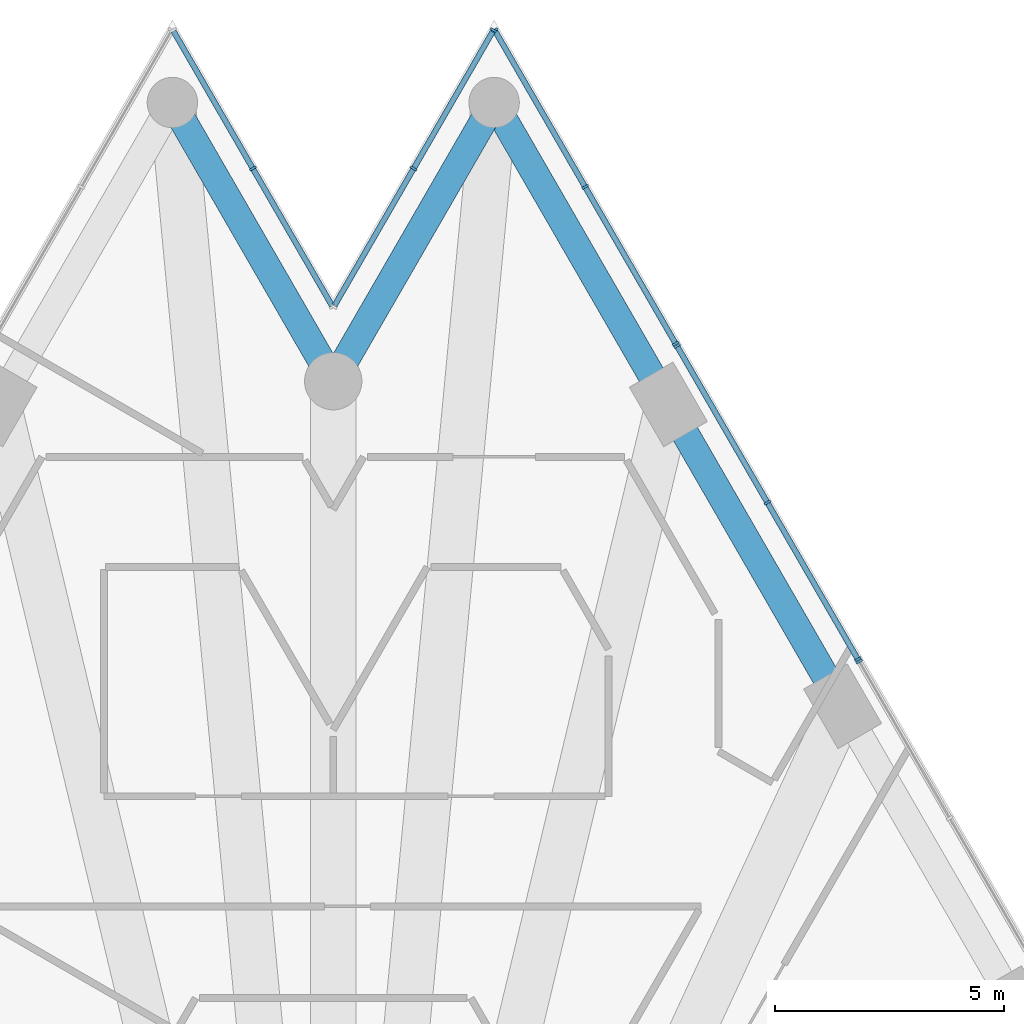
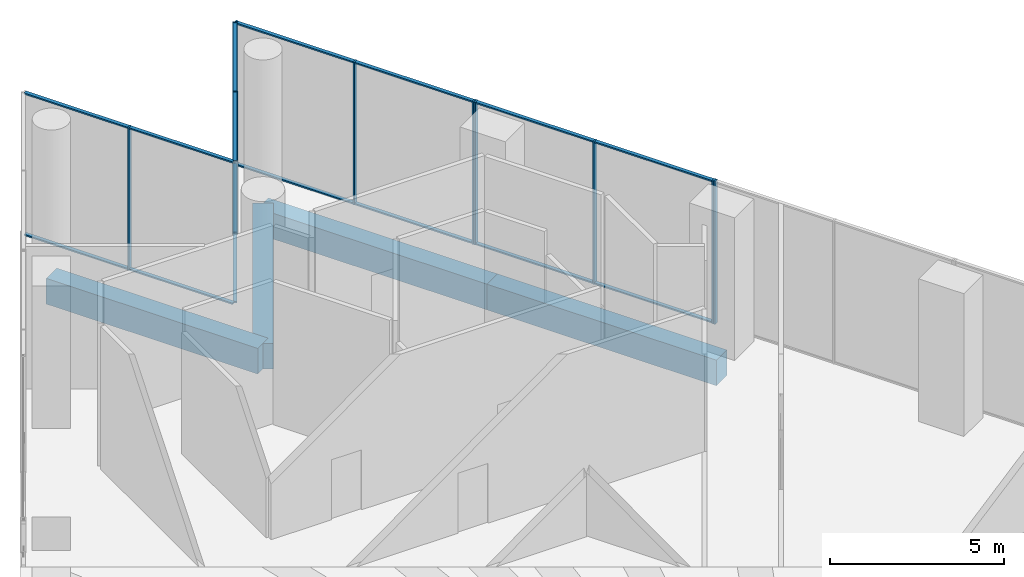
# One storey, part 18 of 29: 26 members, 4 beams, 5 elements without a shape of their own.
"""IFC4 building model written with IfcOpenShell, lengths in metres."""

from ifc_helpers import new_model, si_unit, direction, frame, origin, origin_2d, place, context, subcontext, project, spatial, rectangle, extrude, material, layer, layer_set, material_profile, profile_set, type_object, element, aggregate, save


model = new_model("IFC4")

# Units and contexts
model_context = context("Model", 3, precision=1e-05, world=origin(), true_north=direction((0.0, 1.0)))
body_context = subcontext(model_context, "Body", "Model", "MODEL_VIEW")
ifc_project = project(units=[si_unit("LENGTHUNIT", "METRE"), si_unit("AREAUNIT", "SQUARE_METRE"), si_unit("VOLUMEUNIT", "CUBIC_METRE"), si_unit("PLANEANGLEUNIT", "RADIAN"), si_unit("MASSUNIT", "GRAM", prefix="KILO")], contexts=[model_context])

# Site, building, storey
site_placement = place(None, origin())
site = spatial("IfcSite", under=ifc_project, at=site_placement, CompositionType="ELEMENT")
building_placement = place(site_placement, origin())
building = spatial("IfcBuilding", under=site, at=building_placement, Name="Triada Interchange Tower", CompositionType="ELEMENT")
storey_placement = place(building_placement, frame((0.0, 0.0, 19.89990234375)))
storey = spatial("IfcBuildingStorey", under=building, at=storey_placement, Name="L03", CompositionType="ELEMENT", Elevation=19.89990234375)

# Curtain wall, member
ifc_material_1 = material(Name="Aluminium framed glazing", Category="aluminium")
ifc_layer = layer(ifc_material_1, 0.199951171875)
ifc_layer_set = layer_set([ifc_layer], Name="Curtain wall Retail shopfront")
curtain_wall_type = type_object("IfcCurtainWallType", Name="Curtain wall Retail shopfront", PredefinedType="NOTDEFINED", material=ifc_layer_set)
curtain_wall_1_placement = place(storey_placement, origin())
curtain_wall_1 = element("IfcCurtainWall", 1, at=curtain_wall_1_placement, inside=storey, type_object=curtain_wall_type, Name="Retail shopfront CW018 L03", PredefinedType="NOTDEFINED")
ifc_material_2 = material(Name="Aluminium", Category="aluminium")
ifc_material_profile_1 = material_profile(ifc_material_2, rectangle(XDim=0.14990234375, YDim=0.050048828125, at=origin_2d()), Name="Aluminium mullion")
ifc_profile_set_1 = profile_set([ifc_material_profile_1], Name="Aluminium")
member_type_1 = type_object("IfcMemberType", Name="Mullion Retail shopfront 150x50", PredefinedType="MULLION", material=ifc_profile_set_1)
member_1_placement = place(storey_placement, frame((11.468505859375, 24.936279296875, 0.0), z_axis=(0.0, 0.0, 1.0), x_axis=(-0.866055473648, -0.499947913852, 0.0)))
member_1 = element("IfcMember", 2, at=member_1_placement, type_object=member_type_1, Name="CW018 mullion 3", PredefinedType="MULLION", context=body_context, shape_type="SweptSolid", body=[
    extrude(rectangle(XDim=0.14990234375, YDim=0.050048828125, at=origin_2d()), origin(), (0.0, 0.0, 1.0), 5.0),
])
aggregate(curtain_wall_1, [member_1])

# Curtain wall, members
curtain_wall_2_placement = place(storey_placement, origin())
curtain_wall_2 = element("IfcCurtainWall", 3, at=curtain_wall_2_placement, inside=storey, type_object=curtain_wall_type, Name="Retail shopfront CW019 L03", PredefinedType="NOTDEFINED")
member_2_placement = place(storey_placement, frame((11.4375, 24.98876953125, 0.0), z_axis=(0.0, 0.0, 1.0), x_axis=(-0.866055473648, -0.499947913852, 0.0)))
member_2 = element("IfcMember", 4, at=member_2_placement, type_object=member_type_1, Name="CW019 mullion 1", PredefinedType="MULLION", context=body_context, shape_type="SweptSolid", body=[
    extrude(rectangle(XDim=0.14990234375, YDim=0.050048828125, at=origin_2d()), origin(), (0.0, 0.0, 1.0), 5.0),
])
member_3_placement = place(storey_placement, frame((9.466552734375, 28.403076171875, 0.0), z_axis=(0.0, 0.0, 1.0), x_axis=(-0.866055473648, -0.499947913852, 0.0)))
member_3 = element("IfcMember", 5, at=member_3_placement, type_object=member_type_1, Name="CW019 mullion 2", PredefinedType="MULLION", context=body_context, shape_type="SweptSolid", body=[
    extrude(rectangle(XDim=0.14990234375, YDim=0.050048828125, at=origin_2d()), origin(), (0.0, 0.0, 1.0), 5.0),
])
member_4_placement = place(storey_placement, frame((7.49560546875, 31.8173828125, 0.0), z_axis=(0.0, 0.0, 1.0), x_axis=(-0.866055473648, -0.499947913852, 0.0)))
member_4 = element("IfcMember", 6, at=member_4_placement, type_object=member_type_1, Name="CW019 mullion 3", PredefinedType="MULLION", context=body_context, shape_type="SweptSolid", body=[
    extrude(rectangle(XDim=0.14990234375, YDim=0.050048828125, at=origin_2d()), origin(), (0.0, 0.0, 1.0), 5.0),
])

curtain_wall_3_placement = place(storey_placement, origin())
curtain_wall_3 = element("IfcCurtainWall", 7, at=curtain_wall_3_placement, inside=storey, type_object=curtain_wall_type, Name="Retail shopfront CW020 L03", PredefinedType="NOTDEFINED")
member_5_placement = place(storey_placement, frame((7.464599609375, 31.86962890625, 0.0), z_axis=(0.0, 0.0, 1.0), x_axis=(-0.86604927658, -0.499958648825, 0.0)))
member_5 = element("IfcMember", 8, at=member_5_placement, type_object=member_type_1, Name="CW020 mullion 1", PredefinedType="MULLION", context=body_context, shape_type="SweptSolid", body=[
    extrude(rectangle(XDim=0.14990234375, YDim=0.050048828125, at=origin_2d()), origin(), (0.0, 0.0, 1.0), 5.0),
])
member_6_placement = place(storey_placement, frame((5.491943359375, 35.28662109375, 0.0), z_axis=(0.0, 0.0, 1.0), x_axis=(-0.86604927658, -0.499958648825, 0.0)))
member_6 = element("IfcMember", 9, at=member_6_placement, type_object=member_type_1, Name="CW020 mullion 2", PredefinedType="MULLION", context=body_context, shape_type="SweptSolid", body=[
    extrude(rectangle(XDim=0.14990234375, YDim=0.050048828125, at=origin_2d()), origin(), (0.0, 0.0, 1.0), 5.0),
])
member_7_placement = place(storey_placement, frame((3.51953125, 38.703369140625, 0.0), z_axis=(0.0, 0.0, 1.0), x_axis=(-0.86604927658, -0.499958648825, 0.0)))
member_7 = element("IfcMember", 10, at=member_7_placement, type_object=member_type_1, Name="CW020 mullion 3", PredefinedType="MULLION", context=body_context, shape_type="SweptSolid", body=[
    extrude(rectangle(XDim=0.14990234375, YDim=0.050048828125, at=origin_2d()), origin(), (0.0, 0.0, 1.0), 5.0),
])

curtain_wall_4_placement = place(storey_placement, origin())
curtain_wall_4 = element("IfcCurtainWall", 11, at=curtain_wall_4_placement, inside=storey, type_object=curtain_wall_type, Name="Retail shopfront CW021 L03", PredefinedType="NOTDEFINED")
member_8_placement = place(storey_placement, frame((3.494384765625, 38.703369140625, 0.0), z_axis=(0.0, 0.0, 1.0), x_axis=(0.866050272896, -0.499956922962, 0.0)))
member_8 = element("IfcMember", 12, at=member_8_placement, type_object=member_type_1, Name="CW021 mullion 1", PredefinedType="MULLION", context=body_context, shape_type="SweptSolid", body=[
    extrude(rectangle(XDim=0.14990234375, YDim=0.050048828125, at=origin_2d()), origin(), (0.0, 0.0, 1.0), 5.0),
])
member_9_placement = place(storey_placement, frame((1.75341796875, 35.6875, 0.0), z_axis=(0.0, 0.0, 1.0), x_axis=(0.866050272896, -0.499956922962, 0.0)))
member_9 = element("IfcMember", 13, at=member_9_placement, type_object=member_type_1, Name="CW021 mullion 2", PredefinedType="MULLION", context=body_context, shape_type="SweptSolid", body=[
    extrude(rectangle(XDim=0.14990234375, YDim=0.050048828125, at=origin_2d()), origin(), (0.0, 0.0, 1.0), 5.0),
])

# Curtain wall, member
curtain_wall_5_placement = place(storey_placement, origin())
curtain_wall_5 = element("IfcCurtainWall", 14, at=curtain_wall_5_placement, inside=storey, type_object=curtain_wall_type, Name="Retail shopfront CW022 L03", PredefinedType="NOTDEFINED")
member_10_placement = place(storey_placement, frame((-1.75341796875, 35.6875, 0.0), z_axis=(0.0, 0.0, 1.0), x_axis=(-0.866050272896, -0.499956922962, 0.0)))
member_10 = element("IfcMember", 15, at=member_10_placement, type_object=member_type_1, Name="CW022 mullion 2", PredefinedType="MULLION", context=body_context, shape_type="SweptSolid", body=[
    extrude(rectangle(XDim=0.14990234375, YDim=0.050048828125, at=origin_2d()), origin(), (0.0, 0.0, 1.0), 5.0),
])

# Beams
ifc_material_3 = material(Name="Concrete C50/60", Category="concrete")
ifc_material_profile_2 = material_profile(ifc_material_3, rectangle(XDim=0.60009765625, YDim=0.89990234375, at=origin_2d()), Name="RC 600x900")
ifc_profile_set_2 = profile_set([ifc_material_profile_2], Name="Concrete C50/60")
beam_type = type_object("IfcBeamType", Name="Spandrel beam P RC 600x900", PredefinedType="BEAM", material=ifc_profile_set_2)
beam_1_placement = place(storey_placement, frame((11.10595703125, 23.9619140625, -0.849853515625), z_axis=(-0.499894869559, 0.866086092366, 0.0), x_axis=(-0.866086092366, -0.499894869559, 0.0)))
element("IfcBeam", 16, at=beam_1_placement, inside=storey, type_object=beam_type, Name="Spandrel beam EP27 L03", PredefinedType="BEAM", context=body_context, shape_type="SweptSolid", body=[
    extrude(rectangle(XDim=0.60009765625, YDim=0.89990234375, at=origin_2d()), origin(), (0.0, 0.0, 1.0), 7.599853515625),
])
beam_2_placement = place(storey_placement, frame((7.306884765625, 30.5439453125, -0.849853515625), z_axis=(-0.500022797313, 0.86601224135, 0.0), x_axis=(-0.86601224135, -0.500022797313, 0.0)))
element("IfcBeam", 17, at=beam_2_placement, inside=storey, type_object=beam_type, Name="Spandrel beam EP28 L03", PredefinedType="BEAM", context=body_context, shape_type="SweptSolid", body=[
    extrude(rectangle(XDim=0.60009765625, YDim=0.89990234375, at=origin_2d()), origin(), (0.0, 0.0, 1.0), 7.599365234375),
])
for number, where, z_axis, x_axis, name in (
    (18, (3.507080078125, 37.125, -0.849853515625), (-0.49996849935, -0.866043589929, 0.0), (0.866043589929, -0.49996849935, 0.0), "Spandrel beam EP29 L03"),
    (19, (0.0, 31.050048828125, -0.849853515625), (-0.49996849935, 0.866043589929, 0.0), (-0.866043589929, -0.49996849935, 0.0), "Spandrel beam EP30 L03"),
):
    element("IfcBeam", number, at=place(storey_placement, frame(where, z_axis=z_axis, x_axis=x_axis)), inside=storey, type_object=beam_type, Name=name, PredefinedType="BEAM", context=body_context, shape_type="SweptSolid", body=[
        extrude(rectangle(XDim=0.60009765625, YDim=0.89990234375, at=origin_2d()), origin(), (0.0, 0.0, 1.0), 7.0146484375),
    ])

# Member
ifc_material_profile_3 = material_profile(ifc_material_2, rectangle(XDim=0.1201171875, YDim=0.050048828125, at=origin_2d()), Name="Aluminium transom")
ifc_profile_set_3 = profile_set([ifc_material_profile_3], Name="Aluminium")
member_type_2 = type_object("IfcMemberType", Name="Transom Retail shopfront 120x50", PredefinedType="USERDEFINED", material=ifc_profile_set_3)
member_11_placement = place(storey_placement, frame((11.425048828125, 25.01025390625, 0.025146484375), z_axis=(-0.499950487857, 0.866053987747, 0.0), x_axis=(-0.866053987747, -0.499950487857, 0.0)))
member_11 = element("IfcMember", 20, at=member_11_placement, type_object=member_type_2, Name="CW019 transom 1.1", ObjectType="TRANSOM", PredefinedType="USERDEFINED", context=body_context, shape_type="SweptSolid", body=[
    extrude(rectangle(XDim=0.1201171875, YDim=0.050048828125, at=origin_2d()), origin(), (0.0, 0.0, 1.0), 3.892578125),
])

member_12_placement = place(storey_placement, frame((11.425048828125, 25.01025390625, 4.97509765625), z_axis=(-0.499950487857, 0.866053987747, 0.0), x_axis=(-0.866053987747, -0.499950487857, 0.0)))
member_12 = element("IfcMember", 21, at=member_12_placement, type_object=member_type_2, Name="CW019 transom 1.2", ObjectType="TRANSOM", PredefinedType="USERDEFINED", context=body_context, shape_type="SweptSolid", body=[
    extrude(rectangle(XDim=0.1201171875, YDim=0.050048828125, at=origin_2d()), origin(), (0.0, 0.0, 1.0), 3.892578125),
])

member_13_placement = place(storey_placement, frame((9.4541015625, 28.424560546875, 0.025146484375), z_axis=(-0.499950487857, 0.866053987747, 0.0), x_axis=(-0.866053987747, -0.499950487857, 0.0)))
member_13 = element("IfcMember", 22, at=member_13_placement, type_object=member_type_2, Name="CW019 transom 2.1", ObjectType="TRANSOM", PredefinedType="USERDEFINED", context=body_context, shape_type="SweptSolid", body=[
    extrude(rectangle(XDim=0.1201171875, YDim=0.050048828125, at=origin_2d()), origin(), (0.0, 0.0, 1.0), 3.892578125),
])

member_14_placement = place(storey_placement, frame((9.4541015625, 28.424560546875, 4.97509765625), z_axis=(-0.499950487857, 0.866053987747, 0.0), x_axis=(-0.866053987747, -0.499950487857, 0.0)))
member_14 = element("IfcMember", 23, at=member_14_placement, type_object=member_type_2, Name="CW019 transom 2.2", ObjectType="TRANSOM", PredefinedType="USERDEFINED", context=body_context, shape_type="SweptSolid", body=[
    extrude(rectangle(XDim=0.1201171875, YDim=0.050048828125, at=origin_2d()), origin(), (0.0, 0.0, 1.0), 3.892578125),
])

aggregate(curtain_wall_2, [member_2, member_3, member_4, member_11, member_12, member_13, member_14])

member_15_placement = place(storey_placement, frame((7.451904296875, 31.891357421875, 0.025146484375), z_axis=(-0.499961171201, 0.866047820441, 0.0), x_axis=(-0.866047820441, -0.499961171201, 0.0)))
member_15 = element("IfcMember", 24, at=member_15_placement, type_object=member_type_2, Name="CW020 transom 1.1", ObjectType="TRANSOM", PredefinedType="USERDEFINED", context=body_context, shape_type="SweptSolid", body=[
    extrude(rectangle(XDim=0.1201171875, YDim=0.050048828125, at=origin_2d()), origin(), (0.0, 0.0, 1.0), 3.895263671875),
])

member_16_placement = place(storey_placement, frame((7.451904296875, 31.891357421875, 4.97509765625), z_axis=(-0.499961171201, 0.866047820441, 0.0), x_axis=(-0.866047820441, -0.499961171201, 0.0)))
member_16 = element("IfcMember", 25, at=member_16_placement, type_object=member_type_2, Name="CW020 transom 1.2", ObjectType="TRANSOM", PredefinedType="USERDEFINED", context=body_context, shape_type="SweptSolid", body=[
    extrude(rectangle(XDim=0.1201171875, YDim=0.050048828125, at=origin_2d()), origin(), (0.0, 0.0, 1.0), 3.895263671875),
])

member_17_placement = place(storey_placement, frame((5.4794921875, 35.30810546875, 0.025146484375), z_axis=(-0.499961171201, 0.866047820441, 0.0), x_axis=(-0.866047820441, -0.499961171201, 0.0)))
member_17 = element("IfcMember", 26, at=member_17_placement, type_object=member_type_2, Name="CW020 transom 2.1", ObjectType="TRANSOM", PredefinedType="USERDEFINED", context=body_context, shape_type="SweptSolid", body=[
    extrude(rectangle(XDim=0.1201171875, YDim=0.050048828125, at=origin_2d()), origin(), (0.0, 0.0, 1.0), 3.895263671875),
])

member_18_placement = place(storey_placement, frame((5.4794921875, 35.30810546875, 4.97509765625), z_axis=(-0.499961171201, 0.866047820441, 0.0), x_axis=(-0.866047820441, -0.499961171201, 0.0)))
member_18 = element("IfcMember", 27, at=member_18_placement, type_object=member_type_2, Name="CW020 transom 2.2", ObjectType="TRANSOM", PredefinedType="USERDEFINED", context=body_context, shape_type="SweptSolid", body=[
    extrude(rectangle(XDim=0.1201171875, YDim=0.050048828125, at=origin_2d()), origin(), (0.0, 0.0, 1.0), 3.895263671875),
])

aggregate(curtain_wall_3, [member_5, member_6, member_7, member_15, member_16, member_17, member_18])

member_19_placement = place(storey_placement, frame((3.48193359375, 38.681640625, 0.025146484375), z_axis=(-0.499933868592, -0.866063581404, 0.0), x_axis=(0.866063581404, -0.499933868592, 0.0)))
member_19 = element("IfcMember", 28, at=member_19_placement, type_object=member_type_2, Name="CW021 transom 1.1", ObjectType="TRANSOM", PredefinedType="USERDEFINED", context=body_context, shape_type="SweptSolid", body=[
    extrude(rectangle(XDim=0.1201171875, YDim=0.050048828125, at=origin_2d()), origin(), (0.0, 0.0, 1.0), 3.43212890625),
])

member_20_placement = place(storey_placement, frame((3.48193359375, 38.681640625, 4.97509765625), z_axis=(-0.499933868592, -0.866063581404, 0.0), x_axis=(0.866063581404, -0.499933868592, 0.0)))
member_20 = element("IfcMember", 29, at=member_20_placement, type_object=member_type_2, Name="CW021 transom 1.2", ObjectType="TRANSOM", PredefinedType="USERDEFINED", context=body_context, shape_type="SweptSolid", body=[
    extrude(rectangle(XDim=0.1201171875, YDim=0.050048828125, at=origin_2d()), origin(), (0.0, 0.0, 1.0), 3.43212890625),
])

member_21_placement = place(storey_placement, frame((1.740966796875, 35.665771484375, 0.025146484375), z_axis=(-0.499987221389, -0.866032781393, 0.0), x_axis=(0.866032781393, -0.499987221389, 0.0)))
member_21 = element("IfcMember", 30, at=member_21_placement, type_object=member_type_2, Name="CW021 transom 2.1", ObjectType="TRANSOM", PredefinedType="USERDEFINED", context=body_context, shape_type="SweptSolid", body=[
    extrude(rectangle(XDim=0.1201171875, YDim=0.050048828125, at=origin_2d()), origin(), (0.0, 0.0, 1.0), 3.43212890625),
])

member_22_placement = place(storey_placement, frame((1.740966796875, 35.665771484375, 4.97509765625), z_axis=(-0.499987221389, -0.866032781393, 0.0), x_axis=(0.866032781393, -0.499987221389, 0.0)))
member_22 = element("IfcMember", 31, at=member_22_placement, type_object=member_type_2, Name="CW021 transom 2.2", ObjectType="TRANSOM", PredefinedType="USERDEFINED", context=body_context, shape_type="SweptSolid", body=[
    extrude(rectangle(XDim=0.1201171875, YDim=0.050048828125, at=origin_2d()), origin(), (0.0, 0.0, 1.0), 3.43212890625),
])

aggregate(curtain_wall_4, [member_8, member_9, member_19, member_20, member_21, member_22])

member_23_placement = place(storey_placement, frame((-0.02490234375, 32.693359375, 0.025146484375), z_axis=(-0.499987221389, 0.866032781393, 0.0), x_axis=(-0.866032781393, -0.499987221389, 0.0)))
member_23 = element("IfcMember", 32, at=member_23_placement, type_object=member_type_2, Name="CW022 transom 1.1", ObjectType="TRANSOM", PredefinedType="USERDEFINED", context=body_context, shape_type="SweptSolid", body=[
    extrude(rectangle(XDim=0.1201171875, YDim=0.050048828125, at=origin_2d()), origin(), (0.0, 0.0, 1.0), 3.43212890625),
])

member_24_placement = place(storey_placement, frame((-0.02490234375, 32.693359375, 4.97509765625), z_axis=(-0.499987221389, 0.866032781393, 0.0), x_axis=(-0.866032781393, -0.499987221389, 0.0)))
member_24 = element("IfcMember", 33, at=member_24_placement, type_object=member_type_2, Name="CW022 transom 1.2", ObjectType="TRANSOM", PredefinedType="USERDEFINED", context=body_context, shape_type="SweptSolid", body=[
    extrude(rectangle(XDim=0.1201171875, YDim=0.050048828125, at=origin_2d()), origin(), (0.0, 0.0, 1.0), 3.43212890625),
])

member_25_placement = place(storey_placement, frame((-1.76611328125, 35.709228515625, 0.025146484375), z_axis=(-0.499933868592, 0.866063581404, 0.0), x_axis=(-0.866063581404, -0.499933868592, 0.0)))
member_25 = element("IfcMember", 34, at=member_25_placement, type_object=member_type_2, Name="CW022 transom 2.1", ObjectType="TRANSOM", PredefinedType="USERDEFINED", context=body_context, shape_type="SweptSolid", body=[
    extrude(rectangle(XDim=0.1201171875, YDim=0.050048828125, at=origin_2d()), origin(), (0.0, 0.0, 1.0), 3.43212890625),
])

member_26_placement = place(storey_placement, frame((-1.76611328125, 35.709228515625, 4.97509765625), z_axis=(-0.499933868592, 0.866063581404, 0.0), x_axis=(-0.866063581404, -0.499933868592, 0.0)))
member_26 = element("IfcMember", 35, at=member_26_placement, type_object=member_type_2, Name="CW022 transom 2.2", ObjectType="TRANSOM", PredefinedType="USERDEFINED", context=body_context, shape_type="SweptSolid", body=[
    extrude(rectangle(XDim=0.1201171875, YDim=0.050048828125, at=origin_2d()), origin(), (0.0, 0.0, 1.0), 3.43212890625),
])

aggregate(curtain_wall_5, [member_10, member_23, member_24, member_25, member_26])

save(model, "model.ifc")
